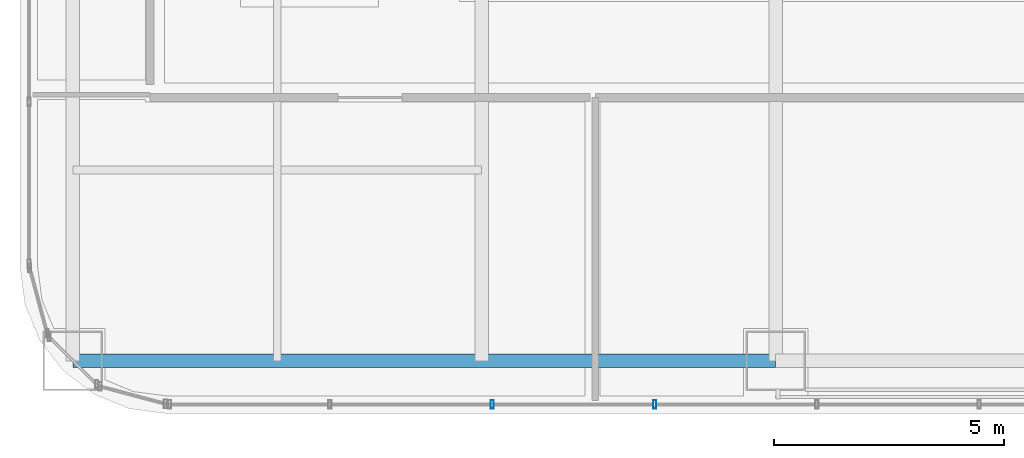
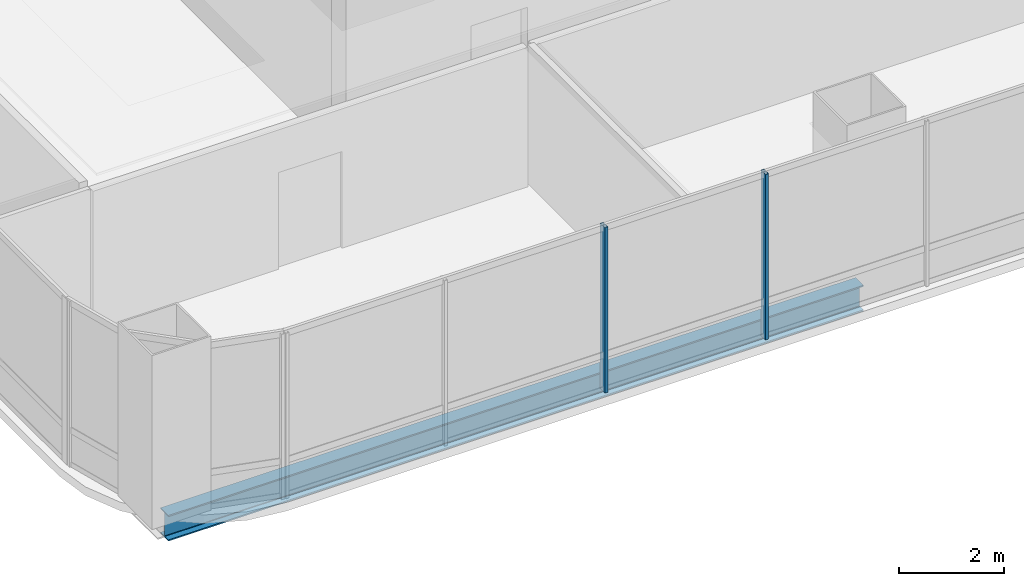
# One storey, part 3 of 42: 2 members, 1 beam, 1 element without a shape of its own.
"""IFC4 building model written with IfcOpenShell, lengths in metres."""

from ifc_helpers import new_model, si_unit, direction, frame, origin, origin_2d, place, context, subcontext, project, spatial, hollow_rectangle, i_section, extrude, material, material_profile, profile_set, type_object, element, aggregate, save


model = new_model("IFC4")

# Units and contexts
model_context = context("Model", 3, precision=1e-05, world=origin(), true_north=direction((0.0, 1.0)))
body_context = subcontext(model_context, "Body", "Model", "MODEL_VIEW")
ifc_project = project(units=[si_unit("LENGTHUNIT", "METRE"), si_unit("AREAUNIT", "SQUARE_METRE"), si_unit("VOLUMEUNIT", "CUBIC_METRE"), si_unit("PLANEANGLEUNIT", "RADIAN"), si_unit("MASSUNIT", "GRAM", prefix="KILO")], contexts=[model_context])

# Site, building, storey
site_placement = place(None, origin())
site = spatial("IfcSite", under=ifc_project, at=site_placement, CompositionType="ELEMENT")
building_placement = place(site_placement, origin())
building = spatial("IfcBuilding", under=site, at=building_placement, Name="Punatoya Terracotta Tower", CompositionType="ELEMENT")
storey_placement = place(building_placement, frame((0.0, 0.0, 259.5)))
storey = spatial("IfcBuildingStorey", under=building, at=storey_placement, Name="L61", CompositionType="ELEMENT", Elevation=259.5)

# Beam
ifc_material_1 = material(Name="Steel S355", Category="steel")
ifc_material_profile_1 = material_profile(ifc_material_1, i_section(OverallWidth=0.300048828125, OverallDepth=0.60009765625, WebThickness=0.015380859375, FlangeThickness=0.030029296875, FilletRadius=0.01806640625, at=origin_2d()))
ifc_profile_set_1 = profile_set([ifc_material_profile_1], Name="Steel S355")
beam_type = type_object("IfcBeamType", Name="BM-PRI-600", PredefinedType="BEAM", material=ifc_profile_set_1)
beam_placement = place(storey_placement, frame((-19.10009765625, -17.5, -0.5), z_axis=(1.0, 0.0, 0.0), x_axis=(0.0, 1.0, 0.0)))
element("IfcBeam", 1, at=beam_placement, inside=storey, type_object=beam_type, Name="BM-L61-RG-S1", PredefinedType="BEAM", context=body_context, shape_type="SweptSolid", body=[
    extrude(i_section(OverallWidth=0.300048828125, OverallDepth=0.60009765625, WebThickness=0.015380859375, FlangeThickness=0.030029296875, FilletRadius=0.01806640625, at=origin_2d()), origin(), (0.0, 0.0, 1.0), 15.300048828125),
])

# Curtain wall, members
ifc_material_2 = material(Name="Aluminium 6063-T6 + Double Low-E Glass", Category="aluminium")
curtain_wall_type = type_object("IfcCurtainWallType", Name="CW-M3", PredefinedType="NOTDEFINED", material=ifc_material_2)
curtain_wall_placement = place(storey_placement, origin())
curtain_wall = element("IfcCurtainWall", 2, at=curtain_wall_placement, inside=storey, type_object=curtain_wall_type, Name="L61 Curtain Wall CW-L61-S01-1", PredefinedType="NOTDEFINED")
ifc_material_3 = material(Name="Aluminium 6063-T6", Category="aluminium")
ifc_material_profile_2 = material_profile(ifc_material_3, hollow_rectangle(XDim=0.070068359375, YDim=0.179931640625, WallThickness=0.00390625, at=origin_2d()))
ifc_profile_set_2 = profile_set([ifc_material_profile_2], Name="Aluminium 6063-T6")
member_type = type_object("IfcMemberType", Name="CW-MUL-M3", PredefinedType="MULLION", material=ifc_profile_set_2)
member_1_placement = place(storey_placement, frame((-9.968994140625, -18.449951171875, 0.0), z_axis=(0.0, 0.0, 1.0), x_axis=(1.0, 0.0, 0.0)))
member_1 = element("IfcMember", 3, at=member_1_placement, type_object=member_type, Name="CW-L61-S01-1 Mullion 02", PredefinedType="MULLION", context=body_context, shape_type="SweptSolid", body=[
    extrude(hollow_rectangle(XDim=0.070068359375, YDim=0.179931640625, WallThickness=0.00390625, at=origin_2d()), origin(), (0.0, 0.0, 1.0), 3.85009765625),
])
member_2_placement = place(storey_placement, frame((-6.43505859375, -18.449951171875, 0.0), z_axis=(0.0, 0.0, 1.0), x_axis=(1.0, 0.0, 0.0)))
member_2 = element("IfcMember", 4, at=member_2_placement, type_object=member_type, Name="CW-L61-S01-1 Mullion 03", PredefinedType="MULLION", context=body_context, shape_type="SweptSolid", body=[
    extrude(hollow_rectangle(XDim=0.070068359375, YDim=0.179931640625, WallThickness=0.00390625, at=origin_2d()), origin(), (0.0, 0.0, 1.0), 3.85009765625),
])
aggregate(curtain_wall, [member_1, member_2])

save(model, "model.ifc")
